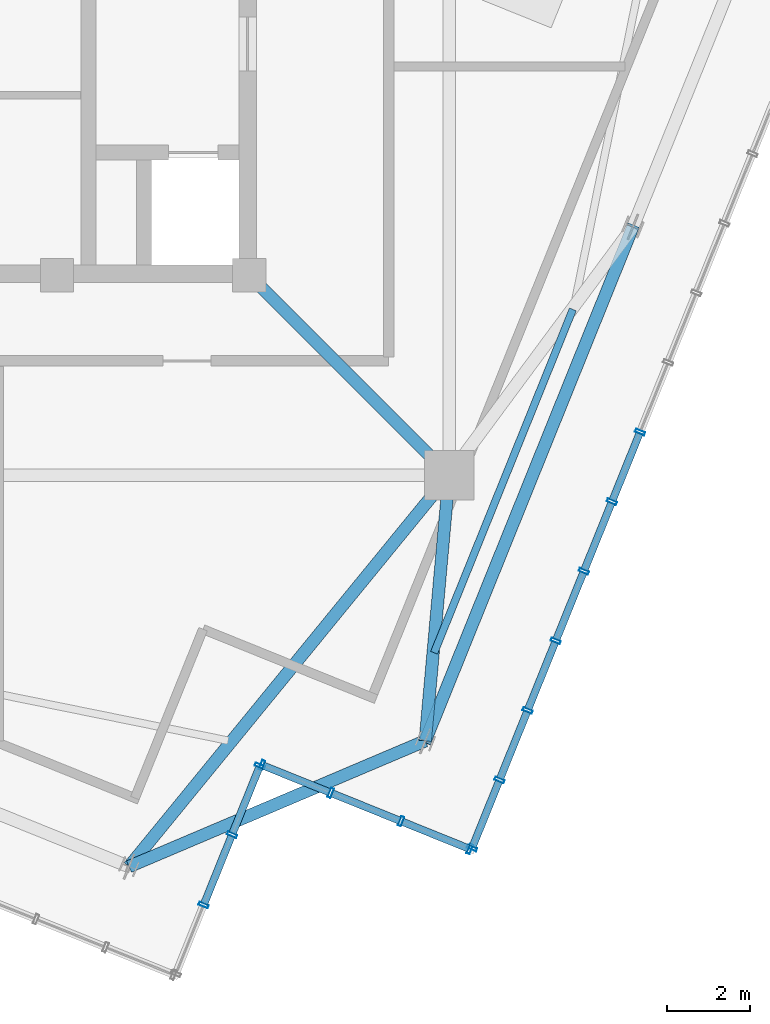
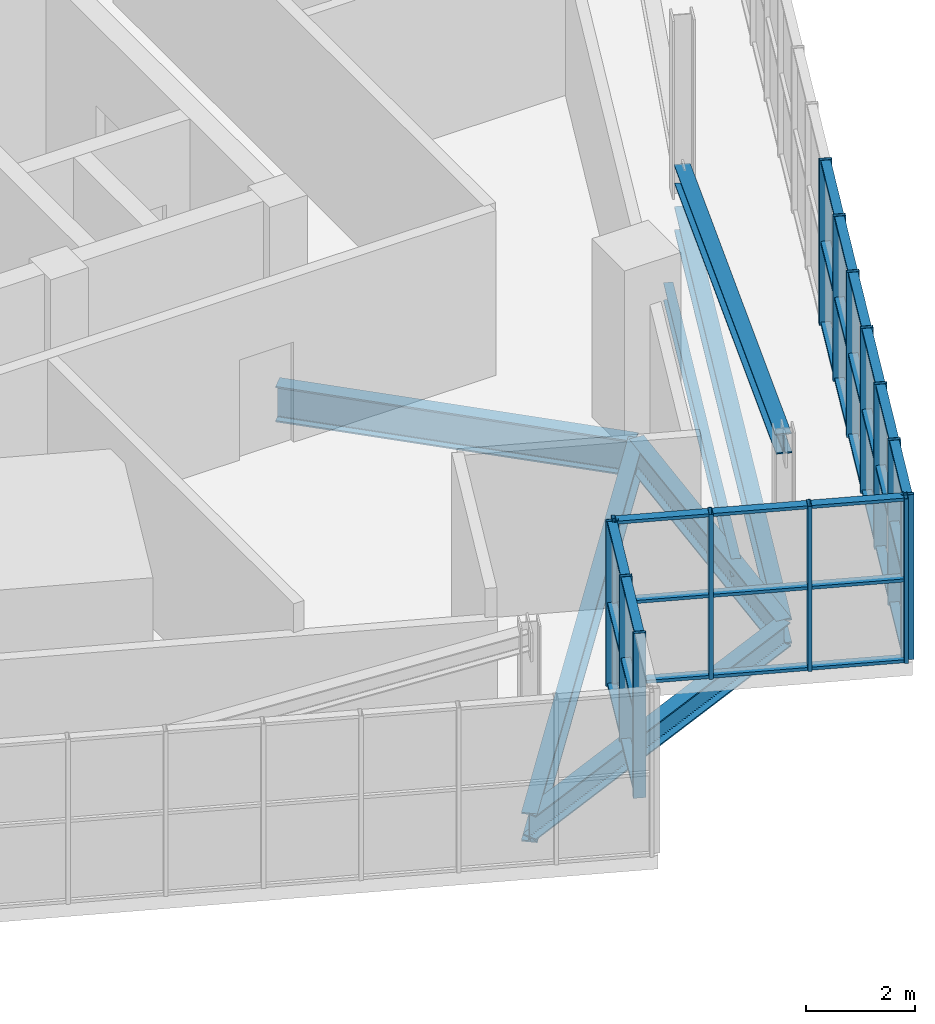
# One storey, part 8 of 26: 48 members, 6 beams, 3 elements without a shape of their own.
"""IFC4 building model written with IfcOpenShell, lengths in metres."""

from ifc_helpers import new_model, si_unit, direction, frame, origin, origin_2d, place, context, subcontext, project, spatial, hollow_rectangle, i_section, extrude, source, transform, mapped, material, layer, layer_set, material_profile, profile_set, type_object, element, aggregate, save


model = new_model("IFC4")

# Units and contexts
model_context = context("Model", 3, precision=1e-05, world=origin(), true_north=direction((0.0, 1.0)))
body_context = subcontext(model_context, "Body", "Model", "MODEL_VIEW")
ifc_project = project(units=[si_unit("LENGTHUNIT", "METRE"), si_unit("AREAUNIT", "SQUARE_METRE"), si_unit("VOLUMEUNIT", "CUBIC_METRE"), si_unit("PLANEANGLEUNIT", "RADIAN"), si_unit("MASSUNIT", "GRAM", prefix="KILO"), si_unit("THERMODYNAMICTEMPERATUREUNIT", "KELVIN")], contexts=[model_context])

# Site, building, storey
site_placement = place(None, origin())
site = spatial("IfcSite", under=ifc_project, at=site_placement, CompositionType="ELEMENT")
building_placement = place(site_placement, origin())
building = spatial("IfcBuilding", under=site, at=building_placement, Name="Kosmvard Interchange Tower", CompositionType="ELEMENT")
storey_placement = place(building_placement, frame((0.0, 0.0, 333.60009765625)))
storey = spatial("IfcBuildingStorey", under=building, at=storey_placement, Name="L82", CompositionType="ELEMENT", Elevation=333.60009765625)

# Beam
ifc_material_1 = material(Name="Steel S355", Category="steel")
ifc_material_profile_1 = material_profile(ifc_material_1, i_section(OverallWidth=0.300048828125, OverallDepth=0.800048828125, WebThickness=0.017578125, FlangeThickness=0.032958984375, FilletRadius=0.027099609375, at=origin_2d()), Name="HEB 800")
ifc_profile_set_1 = profile_set([ifc_material_profile_1], Name="Steel S355")
beam_type_1 = type_object("IfcBeamType", Name="Primary Mega-Frame Girder HEB 800 S355", PredefinedType="BEAM", material=ifc_profile_set_1)
shared_shape_1 = source(origin(), body_context, "Body", "SweptSolid", [
    extrude(i_section(OverallWidth=0.300048828125, OverallDepth=0.800048828125, WebThickness=0.017578125, FlangeThickness=0.032958984375, FilletRadius=0.027099609375, at=origin_2d()), origin(), (0.0, 0.0, 1.0), 6.83203125),
])
beam_1_placement = place(storey_placement, frame((8.25, -8.25, -0.7001953125), z_axis=(0.707106781187, -0.707106781187, 0.0), x_axis=(0.707106781187, 0.707106781187, 0.0)))
element("IfcBeam", 1, at=beam_1_placement, inside=storey, type_object=beam_type_1, Name="L82 Radial Mega-Frame Girder 2", PredefinedType="BEAM", context=body_context, shape_type="MappedRepresentation", body=[
    mapped(shared_shape_1, transform((0.0, 0.0, 0.0), scale=1.0)),
])

# Member
ifc_material_profile_2 = material_profile(ifc_material_1, i_section(OverallWidth=0.300048828125, OverallDepth=0.39990234375, WebThickness=0.013427734375, FlangeThickness=0.02392578125, FilletRadius=0.027099609375, at=origin_2d()), Name="HEB 400")
ifc_profile_set_2 = profile_set([ifc_material_profile_2], Name="Steel S355")
member_type_1 = type_object("IfcMemberType", Name="Lantern Crown Diagrid Brace HEB 400 S355", PredefinedType="BRACE", material=ifc_profile_set_2)
shared_shape_2 = source(origin(), body_context, "Body", "SweptSolid", [
    extrude(i_section(OverallWidth=0.300048828125, OverallDepth=0.39990234375, WebThickness=0.013427734375, FlangeThickness=0.02392578125, FilletRadius=0.027099609375, at=origin_2d()), origin(), (0.0, 0.0, 1.0), 13.78369140625),
])
member_1_placement = place(storey_placement, frame((17.523681640625, -7.080078125, 0.419921875), z_axis=(-0.364162635972, -0.901373372792, 0.234332279859), x_axis=(0.927189515839, -0.374592580972, 0.0)))
element("IfcMember", 2, at=member_1_placement, inside=storey, type_object=member_type_1, Name="L82 Crown Lantern Diagrid Brace S1", PredefinedType="BRACE", context=body_context, shape_type="MappedRepresentation", body=[
    mapped(shared_shape_2, transform((0.0, 0.0, 0.0), scale=1.0)),
])

# Beams
ifc_material_profile_3 = material_profile(ifc_material_1, i_section(OverallWidth=0.300048828125, OverallDepth=0.550048828125, WebThickness=0.014892578125, FlangeThickness=0.029052734375, FilletRadius=0.027099609375, at=origin_2d()), Name="HEB 550")
ifc_profile_set_3 = profile_set([ifc_material_profile_3], Name="Steel S355")
beam_type_2 = type_object("IfcBeamType", Name="Crown Ring Cap Girder HEB 550 S355", PredefinedType="BEAM", material=ifc_profile_set_3)
shared_shape_3 = source(origin(), body_context, "Body", "SweptSolid", [
    extrude(i_section(OverallWidth=0.300048828125, OverallDepth=0.550048828125, WebThickness=0.014892578125, FlangeThickness=0.029052734375, FilletRadius=0.027099609375, at=origin_2d()), origin(), (0.0, 0.0, 1.0), 13.39990234375),
])
beam_2_placement = place(storey_placement, frame((12.504150390625, -19.50439453125, -0.5751953125), z_axis=(0.374592580972, 0.927189515839, 0.0), x_axis=(-0.927189515839, 0.374592580972, 0.0)))
element("IfcBeam", 3, at=beam_2_placement, inside=storey, type_object=beam_type_2, Name="BM-L82-PR01", PredefinedType="BEAM", context=body_context, shape_type="MappedRepresentation", body=[
    mapped(shared_shape_3, transform((0.0, 0.0, 0.0), scale=1.0)),
])
ifc_material_profile_4 = material_profile(ifc_material_1, i_section(OverallWidth=0.300048828125, OverallDepth=0.64990234375, WebThickness=0.01611328125, FlangeThickness=0.031005859375, FilletRadius=0.027099609375, at=origin_2d()), Name="HEB 650")
ifc_profile_set_4 = profile_set([ifc_material_profile_4], Name="Steel S355")
beam_type_3 = type_object("IfcBeamType", Name="Primary Floor Girder HEB 650 S355", PredefinedType="BEAM", material=ifc_profile_set_4)
shared_shape_4 = source(origin(), body_context, "Body", "SweptSolid", [
    extrude(i_section(OverallWidth=0.300048828125, OverallDepth=0.64990234375, WebThickness=0.01611328125, FlangeThickness=0.031005859375, FilletRadius=0.027099609375, at=origin_2d()), origin(), (0.0, 0.0, 1.0), 6.44921875),
])
beam_3_placement = place(storey_placement, frame((13.0810546875, -13.0810546875, -0.625), z_axis=(-0.089453694068, -0.995990982197, 0.0), x_axis=(0.995990982197, -0.089453694068, 0.0)))
element("IfcBeam", 4, at=beam_3_placement, inside=storey, type_object=beam_type_3, Name="BM-L82-RD01", PredefinedType="BEAM", context=body_context, shape_type="MappedRepresentation", body=[
    mapped(shared_shape_4, transform((0.0, 0.0, 0.0), scale=1.0)),
])
shared_shape_5 = source(origin(), body_context, "Body", "SweptSolid", [
    extrude(i_section(OverallWidth=0.300048828125, OverallDepth=0.550048828125, WebThickness=0.014892578125, FlangeThickness=0.029052734375, FilletRadius=0.027099609375, at=origin_2d()), origin(), (0.0, 0.0, 1.0), 7.778076171875),
])
beam_4_placement = place(storey_placement, frame((5.34423828125, -22.54345703125, -0.5751953125), z_axis=(0.92051132134, 0.39071589075, 0.0), x_axis=(-0.39071589075, 0.92051132134, 0.0)))
element("IfcBeam", 5, at=beam_4_placement, inside=storey, type_object=beam_type_2, Name="BM-L82-PR12", PredefinedType="BEAM", context=body_context, shape_type="MappedRepresentation", body=[
    mapped(shared_shape_5, transform((0.0, 0.0, 0.0), scale=1.0)),
])
shared_shape_6 = source(origin(), body_context, "Body", "SweptSolid", [
    extrude(i_section(OverallWidth=0.300048828125, OverallDepth=0.64990234375, WebThickness=0.01611328125, FlangeThickness=0.031005859375, FilletRadius=0.027099609375, at=origin_2d()), origin(), (0.0, 0.0, 1.0), 12.22265625),
])
beam_5_placement = place(storey_placement, frame((13.0810546875, -13.0810546875, -0.625), z_axis=(-0.632985408079, -0.774163725034, 0.0), x_axis=(0.774163725034, -0.632985408079, 0.0)))
element("IfcBeam", 6, at=beam_5_placement, inside=storey, type_object=beam_type_3, Name="BM-L82-RD12", PredefinedType="BEAM", context=body_context, shape_type="MappedRepresentation", body=[
    mapped(shared_shape_6, transform((0.0, 0.0, 0.0), scale=1.0)),
])
ifc_material_profile_5 = material_profile(ifc_material_1, i_section(OverallWidth=0.179931640625, OverallDepth=0.39990234375, WebThickness=0.008544921875, FlangeThickness=0.013427734375, FilletRadius=0.02099609375, at=origin_2d()), Name="IPE 400")
ifc_profile_set_5 = profile_set([ifc_material_profile_5], Name="Steel S355")
beam_type_4 = type_object("IfcBeamType", Name="Upper-Zone Floor Joist IPE 400 S355", PredefinedType="JOIST", material=ifc_profile_set_5)
shared_shape_7 = source(origin(), body_context, "Body", "SweptSolid", [
    extrude(i_section(OverallWidth=0.179931640625, OverallDepth=0.39990234375, WebThickness=0.008544921875, FlangeThickness=0.013427734375, FilletRadius=0.02099609375, at=origin_2d()), origin(), (0.0, 0.0, 1.0), 8.9521484375),
])
beam_6_placement = place(storey_placement, frame((12.71875, -17.374755859375, -0.5), z_axis=(0.374581187736, 0.927194118723, 0.0), x_axis=(-0.927194118723, 0.374581187736, 0.0)))
element("IfcBeam", 7, at=beam_6_placement, inside=storey, type_object=beam_type_4, Name="BM-L82-FJ01", PredefinedType="JOIST", context=body_context, shape_type="MappedRepresentation", body=[
    mapped(shared_shape_7, transform((0.0, 0.0, 0.0), scale=1.0)),
])

# Curtain wall, members
ifc_material_2 = material(Name="Architectural anodised aluminium", Category="aluminium")
ifc_layer = layer(ifc_material_2, 0.25, Name="Architectural anodised aluminium")
ifc_layer_set = layer_set([ifc_layer], Name="Architectural anodised aluminium")
curtain_wall_type = type_object("IfcCurtainWallType", Name="CW-6 Illuminated Crown Lantern Curtain Wall", PredefinedType="NOTDEFINED", material=ifc_layer_set)
curtain_wall_1_placement = place(storey_placement, origin())
curtain_wall_1 = element("IfcCurtainWall", 8, at=curtain_wall_1_placement, inside=storey, type_object=curtain_wall_type, Name="L82 Crown Lantern Glazing Face 01", PredefinedType="NOTDEFINED")
ifc_material_profile_6 = material_profile(ifc_material_2, hollow_rectangle(XDim=0.239990234375, YDim=0.080078125, WallThickness=0.006103515625, at=origin_2d()), Name="CWM 240x80x6")
ifc_profile_set_6 = profile_set([ifc_material_profile_6], Name="Architectural anodised aluminium")
member_type_2 = type_object("IfcMemberType", Name="Lantern & Observation CW Mullion 240x80 Aluminium", PredefinedType="MULLION", material=ifc_profile_set_6)
shared_shape_8 = source(origin(), body_context, "Body", "SweptSolid", [
    extrude(hollow_rectangle(XDim=0.239990234375, YDim=0.080078125, WallThickness=0.006103515625, at=origin_2d()), origin(), (0.0, 0.0, 1.0), 3.699951171875),
])
member_2_placement = place(storey_placement, frame((13.63525390625, -22.096923828125, 0.0), z_axis=(0.0, 0.0, 1.0), x_axis=(-0.927183858065, 0.374606584758, 0.0)))
member_2 = element("IfcMember", 9, at=member_2_placement, type_object=member_type_2, Name="CW-6 mullion 1", PredefinedType="MULLION", context=body_context, shape_type="MappedRepresentation", body=[
    mapped(shared_shape_8, transform((0.0, 0.0, 0.0), scale=1.0)),
])
member_3_placement = place(storey_placement, frame((14.2998046875, -20.451904296875, 0.0), z_axis=(0.0, 0.0, 1.0), x_axis=(-0.927183858065, 0.374606584758, 0.0)))
member_3 = element("IfcMember", 10, at=member_3_placement, type_object=member_type_2, Name="CW-6 mullion 2", PredefinedType="MULLION", context=body_context, shape_type="MappedRepresentation", body=[
    mapped(shared_shape_8, transform((0.0, 0.0, 0.0), scale=1.0)),
])
member_4_placement = place(storey_placement, frame((14.9794921875, -18.77001953125, 0.0), z_axis=(0.0, 0.0, 1.0), x_axis=(-0.927183858065, 0.374606584758, 0.0)))
member_4 = element("IfcMember", 11, at=member_4_placement, type_object=member_type_2, Name="CW-6 mullion 3", PredefinedType="MULLION", context=body_context, shape_type="MappedRepresentation", body=[
    mapped(shared_shape_8, transform((0.0, 0.0, 0.0), scale=1.0)),
])
member_5_placement = place(storey_placement, frame((15.658935546875, -17.087890625, 0.0), z_axis=(0.0, 0.0, 1.0), x_axis=(-0.927183858065, 0.374606584758, 0.0)))
member_5 = element("IfcMember", 12, at=member_5_placement, type_object=member_type_2, Name="CW-6 mullion 4", PredefinedType="MULLION", context=body_context, shape_type="MappedRepresentation", body=[
    mapped(shared_shape_8, transform((0.0, 0.0, 0.0), scale=1.0)),
])
member_6_placement = place(storey_placement, frame((16.338623046875, -15.40576171875, 0.0), z_axis=(0.0, 0.0, 1.0), x_axis=(-0.927183858065, 0.374606584758, 0.0)))
member_6 = element("IfcMember", 13, at=member_6_placement, type_object=member_type_2, Name="CW-6 mullion 5", PredefinedType="MULLION", context=body_context, shape_type="MappedRepresentation", body=[
    mapped(shared_shape_8, transform((0.0, 0.0, 0.0), scale=1.0)),
])
member_7_placement = place(storey_placement, frame((17.01806640625, -13.723876953125, 0.0), z_axis=(0.0, 0.0, 1.0), x_axis=(-0.927183858065, 0.374606584758, 0.0)))
member_7 = element("IfcMember", 14, at=member_7_placement, type_object=member_type_2, Name="CW-6 mullion 6", PredefinedType="MULLION", context=body_context, shape_type="MappedRepresentation", body=[
    mapped(shared_shape_8, transform((0.0, 0.0, 0.0), scale=1.0)),
])
member_8_placement = place(storey_placement, frame((17.69775390625, -12.041748046875, 0.0), z_axis=(0.0, 0.0, 1.0), x_axis=(-0.927183858065, 0.374606584758, 0.0)))
member_8 = element("IfcMember", 15, at=member_8_placement, type_object=member_type_2, Name="CW-6 mullion 7", PredefinedType="MULLION", context=body_context, shape_type="MappedRepresentation", body=[
    mapped(shared_shape_8, transform((0.0, 0.0, 0.0), scale=1.0)),
])

curtain_wall_2_placement = place(storey_placement, origin())
curtain_wall_2 = element("IfcCurtainWall", 16, at=curtain_wall_2_placement, inside=storey, type_object=curtain_wall_type, Name="L82 Crown Lantern Glazing Face 11", PredefinedType="NOTDEFINED")
member_9_placement = place(storey_placement, frame((7.147216796875, -23.473388671875, 0.0), z_axis=(0.0, 0.0, 1.0), x_axis=(-0.92718386612, 0.374606564822, 0.0)))
member_9 = element("IfcMember", 17, at=member_9_placement, type_object=member_type_2, Name="CW-6 mullion 2", PredefinedType="MULLION", context=body_context, shape_type="MappedRepresentation", body=[
    mapped(shared_shape_8, transform((0.0, 0.0, 0.0), scale=1.0)),
])
member_10_placement = place(storey_placement, frame((7.833984375, -21.7734375, 0.0), z_axis=(0.0, 0.0, 1.0), x_axis=(-0.92718386612, 0.374606564822, 0.0)))
member_10 = element("IfcMember", 18, at=member_10_placement, type_object=member_type_2, Name="CW-6 mullion 3", PredefinedType="MULLION", context=body_context, shape_type="MappedRepresentation", body=[
    mapped(shared_shape_8, transform((0.0, 0.0, 0.0), scale=1.0)),
])
member_11_placement = place(storey_placement, frame((8.505859375, -20.110595703125, 0.0), z_axis=(0.0, 0.0, 1.0), x_axis=(-0.92718386612, 0.374606564822, 0.0)))
member_11 = element("IfcMember", 19, at=member_11_placement, type_object=member_type_2, Name="CW-6 mullion 4", PredefinedType="MULLION", context=body_context, shape_type="MappedRepresentation", body=[
    mapped(shared_shape_8, transform((0.0, 0.0, 0.0), scale=1.0)),
])

curtain_wall_3_placement = place(storey_placement, origin())
curtain_wall_3 = element("IfcCurtainWall", 20, at=curtain_wall_3_placement, inside=storey, type_object=curtain_wall_type, Name="L82 Crown Lantern Glazing Face 12", PredefinedType="NOTDEFINED")
member_12_placement = place(storey_placement, frame((8.557861328125, -20.088623046875, 0.0), z_axis=(0.0, 0.0, 1.0), x_axis=(0.374606501678, 0.927183891631, 0.0)))
member_12 = element("IfcMember", 21, at=member_12_placement, type_object=member_type_2, Name="CW-6 mullion 1", PredefinedType="MULLION", context=body_context, shape_type="MappedRepresentation", body=[
    mapped(shared_shape_8, transform((0.0, 0.0, 0.0), scale=1.0)),
])
member_13_placement = place(storey_placement, frame((10.220458984375, -20.760498046875, 0.0), z_axis=(0.0, 0.0, 1.0), x_axis=(0.374606501678, 0.927183891631, 0.0)))
member_13 = element("IfcMember", 22, at=member_13_placement, type_object=member_type_2, Name="CW-6 mullion 2", PredefinedType="MULLION", context=body_context, shape_type="MappedRepresentation", body=[
    mapped(shared_shape_8, transform((0.0, 0.0, 0.0), scale=1.0)),
])
member_14_placement = place(storey_placement, frame((11.92041015625, -21.447265625, 0.0), z_axis=(0.0, 0.0, 1.0), x_axis=(0.374606501678, 0.927183891631, 0.0)))
member_14 = element("IfcMember", 23, at=member_14_placement, type_object=member_type_2, Name="CW-6 mullion 3", PredefinedType="MULLION", context=body_context, shape_type="MappedRepresentation", body=[
    mapped(shared_shape_8, transform((0.0, 0.0, 0.0), scale=1.0)),
])
member_15_placement = place(storey_placement, frame((13.583251953125, -22.118896484375, 0.0), z_axis=(0.0, 0.0, 1.0), x_axis=(0.374606501678, 0.927183891631, 0.0)))
member_15 = element("IfcMember", 24, at=member_15_placement, type_object=member_type_2, Name="CW-6 mullion 4", PredefinedType="MULLION", context=body_context, shape_type="MappedRepresentation", body=[
    mapped(shared_shape_8, transform((0.0, 0.0, 0.0), scale=1.0)),
])

# Member
ifc_material_profile_7 = material_profile(ifc_material_2, hollow_rectangle(XDim=0.179931640625, YDim=0.070068359375, WallThickness=0.0048828125, at=origin_2d()), Name="CWT 180x70x5")
ifc_profile_set_7 = profile_set([ifc_material_profile_7], Name="Architectural anodised aluminium")
member_type_3 = type_object("IfcMemberType", Name="Heavy Lantern CW Transom 180x70 Aluminium", PredefinedType="USERDEFINED", material=ifc_profile_set_7)
shared_shape_9 = source(origin(), body_context, "Body", "SweptSolid", [
    extrude(hollow_rectangle(XDim=0.179931640625, YDim=0.070068359375, WallThickness=0.0048828125, at=origin_2d()), origin(), (0.0, 0.0, 1.0), 1.694091796875),
])
member_16_placement = place(storey_placement, frame((13.650146484375, -22.059814453125, 0.034912109375), z_axis=(0.374667946298, 0.927159064032, 0.0), x_axis=(-0.927159064032, 0.374667946298, 0.0)))
member_16 = element("IfcMember", 25, at=member_16_placement, type_object=member_type_3, Name="CW-6 transom 1.1", ObjectType="TRANSOM", PredefinedType="USERDEFINED", context=body_context, shape_type="MappedRepresentation", body=[
    mapped(shared_shape_9, transform((0.0, 0.0, 0.0), scale=1.0)),
])

member_17_placement = place(storey_placement, frame((13.650146484375, -22.059814453125, 1.849853515625), z_axis=(0.374667946298, 0.927159064032, 0.0), x_axis=(-0.927159064032, 0.374667946298, 0.0)))
member_17 = element("IfcMember", 26, at=member_17_placement, type_object=member_type_3, Name="CW-6 transom 1.2", ObjectType="TRANSOM", PredefinedType="USERDEFINED", context=body_context, shape_type="MappedRepresentation", body=[
    mapped(shared_shape_9, transform((0.0, 0.0, 0.0), scale=1.0)),
])

member_18_placement = place(storey_placement, frame((13.650146484375, -22.059814453125, 3.664794921875), z_axis=(0.374667946298, 0.927159064032, 0.0), x_axis=(-0.927159064032, 0.374667946298, 0.0)))
member_18 = element("IfcMember", 27, at=member_18_placement, type_object=member_type_3, Name="CW-6 transom 1.3", ObjectType="TRANSOM", PredefinedType="USERDEFINED", context=body_context, shape_type="MappedRepresentation", body=[
    mapped(shared_shape_9, transform((0.0, 0.0, 0.0), scale=1.0)),
])

shared_shape_10 = source(origin(), body_context, "Body", "SweptSolid", [
    extrude(hollow_rectangle(XDim=0.179931640625, YDim=0.070068359375, WallThickness=0.0048828125, at=origin_2d()), origin(), (0.0, 0.0, 1.0), 1.734130859375),
])
member_19_placement = place(storey_placement, frame((14.314697265625, -20.414794921875, 0.034912109375), z_axis=(0.374616671924, 0.927179782522, 0.0), x_axis=(-0.927179782522, 0.374616671924, 0.0)))
member_19 = element("IfcMember", 28, at=member_19_placement, type_object=member_type_3, Name="CW-6 transom 2.1", ObjectType="TRANSOM", PredefinedType="USERDEFINED", context=body_context, shape_type="MappedRepresentation", body=[
    mapped(shared_shape_10, transform((0.0, 0.0, 0.0), scale=1.0)),
])

member_20_placement = place(storey_placement, frame((14.314697265625, -20.414794921875, 1.849853515625), z_axis=(0.374616671924, 0.927179782522, 0.0), x_axis=(-0.927179782522, 0.374616671924, 0.0)))
member_20 = element("IfcMember", 29, at=member_20_placement, type_object=member_type_3, Name="CW-6 transom 2.2", ObjectType="TRANSOM", PredefinedType="USERDEFINED", context=body_context, shape_type="MappedRepresentation", body=[
    mapped(shared_shape_10, transform((0.0, 0.0, 0.0), scale=1.0)),
])

member_21_placement = place(storey_placement, frame((14.314697265625, -20.414794921875, 3.664794921875), z_axis=(0.374616671924, 0.927179782522, 0.0), x_axis=(-0.927179782522, 0.374616671924, 0.0)))
member_21 = element("IfcMember", 30, at=member_21_placement, type_object=member_type_3, Name="CW-6 transom 2.3", ObjectType="TRANSOM", PredefinedType="USERDEFINED", context=body_context, shape_type="MappedRepresentation", body=[
    mapped(shared_shape_10, transform((0.0, 0.0, 0.0), scale=1.0)),
])

member_22_placement = place(storey_placement, frame((14.994384765625, -18.73291015625, 0.034912109375), z_axis=(0.374616671924, 0.927179782522, 0.0), x_axis=(-0.927179782522, 0.374616671924, 0.0)))
member_22 = element("IfcMember", 31, at=member_22_placement, type_object=member_type_3, Name="CW-6 transom 3.1", ObjectType="TRANSOM", PredefinedType="USERDEFINED", context=body_context, shape_type="MappedRepresentation", body=[
    mapped(shared_shape_10, transform((0.0, 0.0, 0.0), scale=1.0)),
])

member_23_placement = place(storey_placement, frame((14.994384765625, -18.73291015625, 1.849853515625), z_axis=(0.374616671924, 0.927179782522, 0.0), x_axis=(-0.927179782522, 0.374616671924, 0.0)))
member_23 = element("IfcMember", 32, at=member_23_placement, type_object=member_type_3, Name="CW-6 transom 3.2", ObjectType="TRANSOM", PredefinedType="USERDEFINED", context=body_context, shape_type="MappedRepresentation", body=[
    mapped(shared_shape_10, transform((0.0, 0.0, 0.0), scale=1.0)),
])

member_24_placement = place(storey_placement, frame((14.994384765625, -18.73291015625, 3.664794921875), z_axis=(0.374616671924, 0.927179782522, 0.0), x_axis=(-0.927179782522, 0.374616671924, 0.0)))
member_24 = element("IfcMember", 33, at=member_24_placement, type_object=member_type_3, Name="CW-6 transom 3.3", ObjectType="TRANSOM", PredefinedType="USERDEFINED", context=body_context, shape_type="MappedRepresentation", body=[
    mapped(shared_shape_10, transform((0.0, 0.0, 0.0), scale=1.0)),
])

member_25_placement = place(storey_placement, frame((15.674072265625, -17.05078125, 0.034912109375), z_axis=(0.374495638732, 0.927228675447, 0.0), x_axis=(-0.927228675447, 0.374495638732, 0.0)))
member_25 = element("IfcMember", 34, at=member_25_placement, type_object=member_type_3, Name="CW-6 transom 4.1", ObjectType="TRANSOM", PredefinedType="USERDEFINED", context=body_context, shape_type="MappedRepresentation", body=[
    mapped(shared_shape_10, transform((0.0, 0.0, 0.0), scale=1.0)),
])

member_26_placement = place(storey_placement, frame((15.674072265625, -17.05078125, 1.849853515625), z_axis=(0.374495638732, 0.927228675447, 0.0), x_axis=(-0.927228675447, 0.374495638732, 0.0)))
member_26 = element("IfcMember", 35, at=member_26_placement, type_object=member_type_3, Name="CW-6 transom 4.2", ObjectType="TRANSOM", PredefinedType="USERDEFINED", context=body_context, shape_type="MappedRepresentation", body=[
    mapped(shared_shape_10, transform((0.0, 0.0, 0.0), scale=1.0)),
])

member_27_placement = place(storey_placement, frame((15.674072265625, -17.05078125, 3.664794921875), z_axis=(0.374495638732, 0.927228675447, 0.0), x_axis=(-0.927228675447, 0.374495638732, 0.0)))
member_27 = element("IfcMember", 36, at=member_27_placement, type_object=member_type_3, Name="CW-6 transom 4.3", ObjectType="TRANSOM", PredefinedType="USERDEFINED", context=body_context, shape_type="MappedRepresentation", body=[
    mapped(shared_shape_10, transform((0.0, 0.0, 0.0), scale=1.0)),
])

member_28_placement = place(storey_placement, frame((16.353515625, -15.368896484375, 0.034912109375), z_axis=(0.374616671924, 0.927179782522, 0.0), x_axis=(-0.927179782522, 0.374616671924, 0.0)))
member_28 = element("IfcMember", 37, at=member_28_placement, type_object=member_type_3, Name="CW-6 transom 5.1", ObjectType="TRANSOM", PredefinedType="USERDEFINED", context=body_context, shape_type="MappedRepresentation", body=[
    mapped(shared_shape_10, transform((0.0, 0.0, 0.0), scale=1.0)),
])

member_29_placement = place(storey_placement, frame((16.353515625, -15.368896484375, 1.849853515625), z_axis=(0.374616671924, 0.927179782522, 0.0), x_axis=(-0.927179782522, 0.374616671924, 0.0)))
member_29 = element("IfcMember", 38, at=member_29_placement, type_object=member_type_3, Name="CW-6 transom 5.2", ObjectType="TRANSOM", PredefinedType="USERDEFINED", context=body_context, shape_type="MappedRepresentation", body=[
    mapped(shared_shape_10, transform((0.0, 0.0, 0.0), scale=1.0)),
])

member_30_placement = place(storey_placement, frame((16.353515625, -15.368896484375, 3.664794921875), z_axis=(0.374616671924, 0.927179782522, 0.0), x_axis=(-0.927179782522, 0.374616671924, 0.0)))
member_30 = element("IfcMember", 39, at=member_30_placement, type_object=member_type_3, Name="CW-6 transom 5.3", ObjectType="TRANSOM", PredefinedType="USERDEFINED", context=body_context, shape_type="MappedRepresentation", body=[
    mapped(shared_shape_10, transform((0.0, 0.0, 0.0), scale=1.0)),
])

member_31_placement = place(storey_placement, frame((17.033203125, -13.686767578125, 0.034912109375), z_axis=(0.374616671924, 0.927179782522, 0.0), x_axis=(-0.927179782522, 0.374616671924, 0.0)))
member_31 = element("IfcMember", 40, at=member_31_placement, type_object=member_type_3, Name="CW-6 transom 6.1", ObjectType="TRANSOM", PredefinedType="USERDEFINED", context=body_context, shape_type="MappedRepresentation", body=[
    mapped(shared_shape_10, transform((0.0, 0.0, 0.0), scale=1.0)),
])

member_32_placement = place(storey_placement, frame((17.033203125, -13.686767578125, 1.849853515625), z_axis=(0.374616671924, 0.927179782522, 0.0), x_axis=(-0.927179782522, 0.374616671924, 0.0)))
member_32 = element("IfcMember", 41, at=member_32_placement, type_object=member_type_3, Name="CW-6 transom 6.2", ObjectType="TRANSOM", PredefinedType="USERDEFINED", context=body_context, shape_type="MappedRepresentation", body=[
    mapped(shared_shape_10, transform((0.0, 0.0, 0.0), scale=1.0)),
])

member_33_placement = place(storey_placement, frame((17.033203125, -13.686767578125, 3.664794921875), z_axis=(0.374616671924, 0.927179782522, 0.0), x_axis=(-0.927179782522, 0.374616671924, 0.0)))
member_33 = element("IfcMember", 42, at=member_33_placement, type_object=member_type_3, Name="CW-6 transom 6.3", ObjectType="TRANSOM", PredefinedType="USERDEFINED", context=body_context, shape_type="MappedRepresentation", body=[
    mapped(shared_shape_10, transform((0.0, 0.0, 0.0), scale=1.0)),
])

aggregate(curtain_wall_1, [member_2, member_3, member_4, member_5, member_6, member_7, member_8, member_16, member_17, member_18, member_19, member_20, member_21, member_22, member_23, member_24, member_25, member_26, member_27, member_28, member_29, member_30, member_31, member_32, member_33])

shared_shape_11 = source(origin(), body_context, "Body", "SweptSolid", [
    extrude(hollow_rectangle(XDim=0.179931640625, YDim=0.070068359375, WallThickness=0.0048828125, at=origin_2d()), origin(), (0.0, 0.0, 1.0), 1.71337890625),
])
member_34_placement = place(storey_placement, frame((7.848876953125, -21.736328125, 0.034912109375), z_axis=(0.374606758599, 0.927183787829, 0.0), x_axis=(-0.927183787829, 0.374606758599, 0.0)))
member_34 = element("IfcMember", 43, at=member_34_placement, type_object=member_type_3, Name="CW-6 transom 3.1", ObjectType="TRANSOM", PredefinedType="USERDEFINED", context=body_context, shape_type="MappedRepresentation", body=[
    mapped(shared_shape_11, transform((0.0, 0.0, 0.0), scale=1.0)),
])

member_35_placement = place(storey_placement, frame((7.848876953125, -21.736328125, 1.849853515625), z_axis=(0.374606758599, 0.927183787829, 0.0), x_axis=(-0.927183787829, 0.374606758599, 0.0)))
member_35 = element("IfcMember", 44, at=member_35_placement, type_object=member_type_3, Name="CW-6 transom 3.2", ObjectType="TRANSOM", PredefinedType="USERDEFINED", context=body_context, shape_type="MappedRepresentation", body=[
    mapped(shared_shape_11, transform((0.0, 0.0, 0.0), scale=1.0)),
])

member_36_placement = place(storey_placement, frame((7.848876953125, -21.736328125, 3.664794921875), z_axis=(0.374606758599, 0.927183787829, 0.0), x_axis=(-0.927183787829, 0.374606758599, 0.0)))
member_36 = element("IfcMember", 45, at=member_36_placement, type_object=member_type_3, Name="CW-6 transom 3.3", ObjectType="TRANSOM", PredefinedType="USERDEFINED", context=body_context, shape_type="MappedRepresentation", body=[
    mapped(shared_shape_11, transform((0.0, 0.0, 0.0), scale=1.0)),
])

member_37_placement = place(storey_placement, frame((8.594970703125, -20.103515625, 0.034912109375), z_axis=(0.927183787829, -0.374606758599, 0.0), x_axis=(0.374606758599, 0.927183787829, 0.0)))
member_37 = element("IfcMember", 46, at=member_37_placement, type_object=member_type_3, Name="CW-6 transom 1.1", ObjectType="TRANSOM", PredefinedType="USERDEFINED", context=body_context, shape_type="MappedRepresentation", body=[
    mapped(shared_shape_11, transform((0.0, 0.0, 0.0), scale=1.0)),
])

member_38_placement = place(storey_placement, frame((8.594970703125, -20.103515625, 1.849853515625), z_axis=(0.927183787829, -0.374606758599, 0.0), x_axis=(0.374606758599, 0.927183787829, 0.0)))
member_38 = element("IfcMember", 47, at=member_38_placement, type_object=member_type_3, Name="CW-6 transom 1.2", ObjectType="TRANSOM", PredefinedType="USERDEFINED", context=body_context, shape_type="MappedRepresentation", body=[
    mapped(shared_shape_11, transform((0.0, 0.0, 0.0), scale=1.0)),
])

member_39_placement = place(storey_placement, frame((8.594970703125, -20.103515625, 3.664794921875), z_axis=(0.927183787829, -0.374606758599, 0.0), x_axis=(0.374606758599, 0.927183787829, 0.0)))
member_39 = element("IfcMember", 48, at=member_39_placement, type_object=member_type_3, Name="CW-6 transom 1.3", ObjectType="TRANSOM", PredefinedType="USERDEFINED", context=body_context, shape_type="MappedRepresentation", body=[
    mapped(shared_shape_11, transform((0.0, 0.0, 0.0), scale=1.0)),
])

member_40_placement = place(storey_placement, frame((11.95751953125, -21.462158203125, 0.034912109375), z_axis=(0.927183787829, -0.374606758599, 0.0), x_axis=(0.374606758599, 0.927183787829, 0.0)))
member_40 = element("IfcMember", 49, at=member_40_placement, type_object=member_type_3, Name="CW-6 transom 3.1", ObjectType="TRANSOM", PredefinedType="USERDEFINED", context=body_context, shape_type="MappedRepresentation", body=[
    mapped(shared_shape_11, transform((0.0, 0.0, 0.0), scale=1.0)),
])

member_41_placement = place(storey_placement, frame((11.95751953125, -21.462158203125, 1.849853515625), z_axis=(0.927183787829, -0.374606758599, 0.0), x_axis=(0.374606758599, 0.927183787829, 0.0)))
member_41 = element("IfcMember", 50, at=member_41_placement, type_object=member_type_3, Name="CW-6 transom 3.2", ObjectType="TRANSOM", PredefinedType="USERDEFINED", context=body_context, shape_type="MappedRepresentation", body=[
    mapped(shared_shape_11, transform((0.0, 0.0, 0.0), scale=1.0)),
])

member_42_placement = place(storey_placement, frame((11.95751953125, -21.462158203125, 3.664794921875), z_axis=(0.927183787829, -0.374606758599, 0.0), x_axis=(0.374606758599, 0.927183787829, 0.0)))
member_42 = element("IfcMember", 51, at=member_42_placement, type_object=member_type_3, Name="CW-6 transom 3.3", ObjectType="TRANSOM", PredefinedType="USERDEFINED", context=body_context, shape_type="MappedRepresentation", body=[
    mapped(shared_shape_11, transform((0.0, 0.0, 0.0), scale=1.0)),
])

shared_shape_12 = source(origin(), body_context, "Body", "SweptSolid", [
    extrude(hollow_rectangle(XDim=0.179931640625, YDim=0.070068359375, WallThickness=0.0048828125, at=origin_2d()), origin(), (0.0, 0.0, 1.0), 1.75341796875),
])
member_43_placement = place(storey_placement, frame((7.162109375, -23.436279296875, 0.034912109375), z_axis=(0.374677135907, 0.927155350429, 0.0), x_axis=(-0.927155350429, 0.374677135907, 0.0)))
member_43 = element("IfcMember", 52, at=member_43_placement, type_object=member_type_3, Name="CW-6 transom 2.1", ObjectType="TRANSOM", PredefinedType="USERDEFINED", context=body_context, shape_type="MappedRepresentation", body=[
    mapped(shared_shape_12, transform((0.0, 0.0, 0.0), scale=1.0)),
])

member_44_placement = place(storey_placement, frame((7.162109375, -23.436279296875, 1.849853515625), z_axis=(0.374677135907, 0.927155350429, 0.0), x_axis=(-0.927155350429, 0.374677135907, 0.0)))
member_44 = element("IfcMember", 53, at=member_44_placement, type_object=member_type_3, Name="CW-6 transom 2.2", ObjectType="TRANSOM", PredefinedType="USERDEFINED", context=body_context, shape_type="MappedRepresentation", body=[
    mapped(shared_shape_12, transform((0.0, 0.0, 0.0), scale=1.0)),
])

member_45_placement = place(storey_placement, frame((7.162109375, -23.436279296875, 3.664794921875), z_axis=(0.374677135907, 0.927155350429, 0.0), x_axis=(-0.927155350429, 0.374677135907, 0.0)))
member_45 = element("IfcMember", 54, at=member_45_placement, type_object=member_type_3, Name="CW-6 transom 2.3", ObjectType="TRANSOM", PredefinedType="USERDEFINED", context=body_context, shape_type="MappedRepresentation", body=[
    mapped(shared_shape_12, transform((0.0, 0.0, 0.0), scale=1.0)),
])

aggregate(curtain_wall_2, [member_9, member_10, member_11, member_43, member_44, member_45, member_34, member_35, member_36])

member_46_placement = place(storey_placement, frame((10.257568359375, -20.775390625, 0.034912109375), z_axis=(0.927203712676, -0.37455743912, 0.0), x_axis=(0.37455743912, 0.927203712676, 0.0)))
member_46 = element("IfcMember", 55, at=member_46_placement, type_object=member_type_3, Name="CW-6 transom 2.1", ObjectType="TRANSOM", PredefinedType="USERDEFINED", context=body_context, shape_type="MappedRepresentation", body=[
    mapped(shared_shape_12, transform((0.0, 0.0, 0.0), scale=1.0)),
])

member_47_placement = place(storey_placement, frame((10.257568359375, -20.775390625, 1.849853515625), z_axis=(0.927203712676, -0.37455743912, 0.0), x_axis=(0.37455743912, 0.927203712676, 0.0)))
member_47 = element("IfcMember", 56, at=member_47_placement, type_object=member_type_3, Name="CW-6 transom 2.2", ObjectType="TRANSOM", PredefinedType="USERDEFINED", context=body_context, shape_type="MappedRepresentation", body=[
    mapped(shared_shape_12, transform((0.0, 0.0, 0.0), scale=1.0)),
])

member_48_placement = place(storey_placement, frame((10.257568359375, -20.775390625, 3.664794921875), z_axis=(0.927203712676, -0.37455743912, 0.0), x_axis=(0.37455743912, 0.927203712676, 0.0)))
member_48 = element("IfcMember", 57, at=member_48_placement, type_object=member_type_3, Name="CW-6 transom 2.3", ObjectType="TRANSOM", PredefinedType="USERDEFINED", context=body_context, shape_type="MappedRepresentation", body=[
    mapped(shared_shape_12, transform((0.0, 0.0, 0.0), scale=1.0)),
])

aggregate(curtain_wall_3, [member_12, member_13, member_14, member_15, member_37, member_38, member_39, member_46, member_47, member_48, member_40, member_41, member_42])

save(model, "model.ifc")
